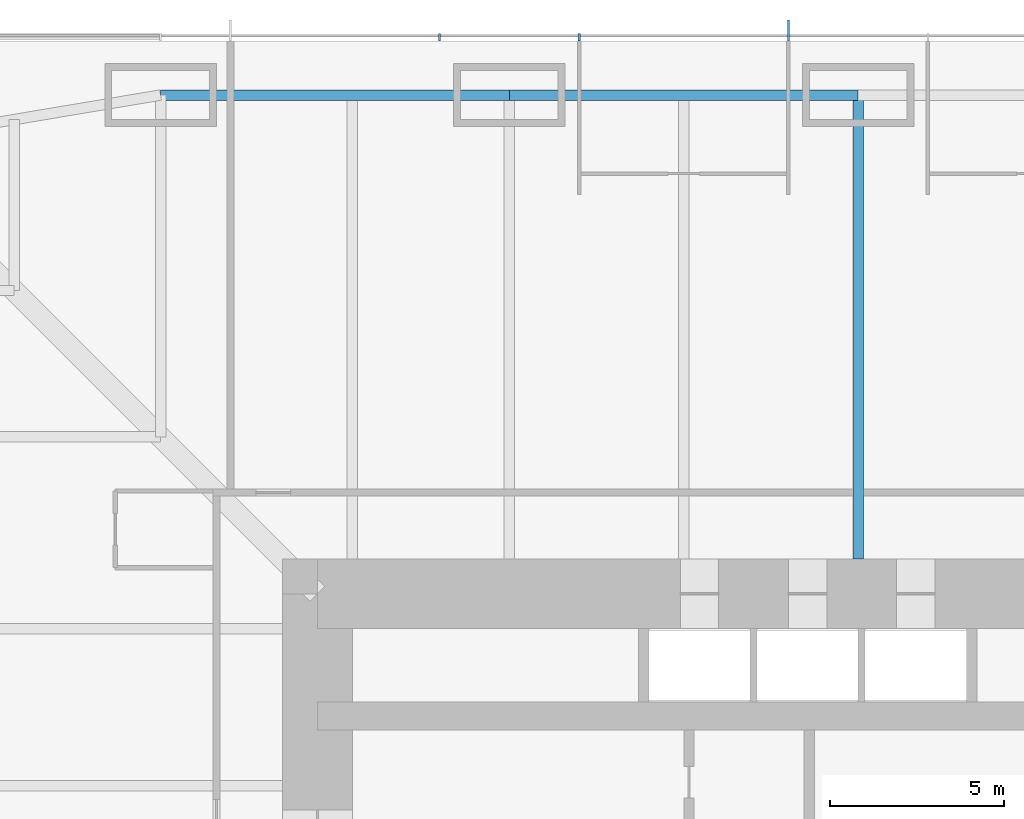
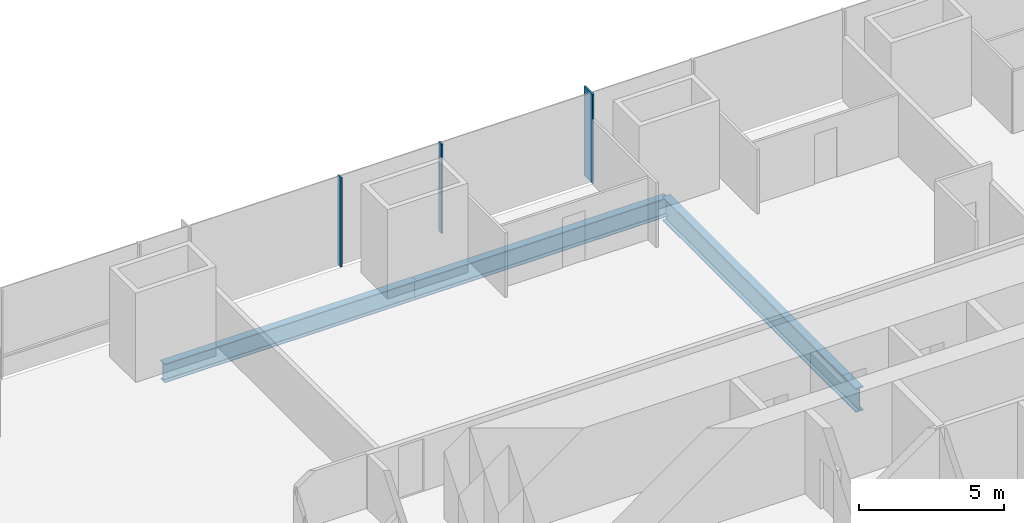
# One storey, part 7 of 16: 3 beams, 3 members, 1 element without a shape of its own.
"""IFC4 building model written with IfcOpenShell, lengths in metres."""

from ifc_helpers import new_model, si_unit, direction, frame, origin, origin_2d, place, context, subcontext, project, spatial, rectangle, i_section, extrude, material, material_profile, profile_set, type_object, element, aggregate, save


model = new_model("IFC4")

# Units and contexts
model_context = context("Model", 3, precision=1e-05, world=origin(), true_north=direction((0.0, 1.0)))
body_context = subcontext(model_context, "Body", "Model", "MODEL_VIEW")
ifc_project = project(units=[si_unit("LENGTHUNIT", "METRE"), si_unit("AREAUNIT", "SQUARE_METRE"), si_unit("VOLUMEUNIT", "CUBIC_METRE"), si_unit("PLANEANGLEUNIT", "RADIAN"), si_unit("MASSUNIT", "GRAM", prefix="KILO")], contexts=[model_context])

# Site, building, storey
site_placement = place(None, origin())
site = spatial("IfcSite", under=ifc_project, at=site_placement, CompositionType="ELEMENT")
building_placement = place(site_placement, origin())
building = spatial("IfcBuilding", under=site, at=building_placement, Name="Khuree Lantern Residences", CompositionType="ELEMENT")
storey_placement = place(building_placement, frame((0.0, 0.0, 54.75)))
storey = spatial("IfcBuildingStorey", under=building, at=storey_placement, Name="L13", CompositionType="ELEMENT", Elevation=54.75)

# Beams
ifc_material_1 = material(Name="Steel S355", Category="steel")
ifc_material_profile_1 = material_profile(ifc_material_1, i_section(OverallWidth=0.300048828125, OverallDepth=0.7900390625, WebThickness=0.014892578125, FlangeThickness=0.028076171875, FilletRadius=0.030029296875, at=origin_2d()), Name="HE 800 A")
ifc_profile_set_1 = profile_set([ifc_material_profile_1], Name="Steel S355")
beam_type_1 = type_object("IfcBeamType", Name="E-13 SPANDREL BEAM HE 800 A", PredefinedType="SPANDREL", material=ifc_profile_set_1)
for number, where, z_axis, x_axis, name in (
    (1, (-20.0, 29.800048828125, -0.64501953125), (1.0, 0.0, 0.0), (0.0, 1.0, 0.0), "Spandrel beam N1"),
    (2, (-10.0, 29.800048828125, -0.64501953125), (1.0, 0.0, 0.0), (0.0, 1.0, 0.0), "Spandrel beam N2"),
):
    element("IfcBeam", number, at=place(storey_placement, frame(where, z_axis=z_axis, x_axis=x_axis)), inside=storey, type_object=beam_type_1, Name=name, PredefinedType="SPANDREL", context=body_context, shape_type="SweptSolid", body=[
        extrude(i_section(OverallWidth=0.300048828125, OverallDepth=0.7900390625, WebThickness=0.014892578125, FlangeThickness=0.028076171875, FilletRadius=0.030029296875, at=origin_2d()), origin(), (0.0, 0.0, 1.0), 10.0),
    ])

# Curtain wall, member
ifc_material_2 = material(Name="Bronze anodised aluminium", Category="aluminium")
curtain_wall_type = type_object("IfcCurtainWallType", Name="CW-T1 TOWER FACE CURTAIN WALL", PredefinedType="USERDEFINED", material=ifc_material_2)
curtain_wall_placement = place(storey_placement, origin())
curtain_wall = element("IfcCurtainWall", 3, at=curtain_wall_placement, inside=storey, type_object=curtain_wall_type, Name="L13 NORTH FACE CURTAIN WALL", ObjectType="Stick-built curtain wall", PredefinedType="USERDEFINED")
ifc_material_profile_2 = material_profile(ifc_material_2, rectangle(XDim=0.06494140625, YDim=0.60009765625, at=origin_2d()), Name="F1 65X600")
ifc_profile_set_2 = profile_set([ifc_material_profile_2], Name="Bronze anodised aluminium")
member_type_1 = type_object("IfcMemberType", Name="F1 BRONZE FIN MULLION TOWER 65X600", PredefinedType="MULLION", material=ifc_profile_set_2)
member_1_placement = place(storey_placement, frame((-2.0, 31.64990234375, 0.0), z_axis=(0.0, 0.0, 1.0), x_axis=(-1.0, 0.0, 0.0)))
member_1 = element("IfcMember", 4, at=member_1_placement, type_object=member_type_1, Name="L13 NORTH FACE FIN MULLION 24", PredefinedType="MULLION", context=body_context, shape_type="SweptSolid", body=[
    extrude(rectangle(XDim=0.06494140625, YDim=0.60009765625, at=origin_2d()), origin(), (0.0, 0.0, 1.0), 3.75),
])

# Beam
ifc_material_profile_3 = material_profile(ifc_material_1, i_section(OverallWidth=0.302001953125, OverallDepth=1.008056640625, WebThickness=0.02099609375, FlangeThickness=0.0400390625, FilletRadius=0.030029296875, at=origin_2d()), Name="HE 1000 M")
ifc_profile_set_3 = profile_set([ifc_material_profile_3], Name="Steel S355")
beam_type_2 = type_object("IfcBeamType", Name="G-13 GIRDER HE 1000 M", PredefinedType="BEAM", material=ifc_profile_set_3)
beam_placement = place(storey_placement, frame((0.0, 29.800048828125, -0.75390625), z_axis=(0.0, -1.0, 0.0), x_axis=(1.0, 0.0, 0.0)))
element("IfcBeam", 5, at=beam_placement, inside=storey, type_object=beam_type_2, Name="Girder N3", PredefinedType="BEAM", context=body_context, shape_type="SweptSolid", body=[
    extrude(i_section(OverallWidth=0.302001953125, OverallDepth=1.008056640625, WebThickness=0.02099609375, FlangeThickness=0.0400390625, FilletRadius=0.030029296875, at=origin_2d()), origin(), (0.0, 0.0, 1.0), 13.300048828125),
])

# Member
ifc_material_profile_4 = material_profile(ifc_material_2, rectangle(XDim=0.06494140625, YDim=0.219970703125, at=origin_2d()), Name="M1 65X220")
ifc_profile_set_4 = profile_set([ifc_material_profile_4], Name="Bronze anodised aluminium")
member_type_2 = type_object("IfcMemberType", Name="M1 BRONZE MULLION TOWER 65X220", PredefinedType="MULLION", material=ifc_profile_set_4)
member_2_placement = place(storey_placement, frame((-8.0, 31.4599609375, 0.0), z_axis=(0.0, 0.0, 1.0), x_axis=(-1.0, 0.0, 0.0)))
member_2 = element("IfcMember", 6, at=member_2_placement, type_object=member_type_2, Name="L13 NORTH FACE MULLION 25", PredefinedType="MULLION", context=body_context, shape_type="SweptSolid", body=[
    extrude(rectangle(XDim=0.06494140625, YDim=0.219970703125, at=origin_2d()), origin(), (0.0, 0.0, 1.0), 3.75),
])

member_3_placement = place(storey_placement, frame((-12.0, 31.4599609375, 0.0), z_axis=(0.0, 0.0, 1.0), x_axis=(-1.0, 0.0, 0.0)))
member_3 = element("IfcMember", 7, at=member_3_placement, type_object=member_type_2, Name="L13 NORTH FACE MULLION 26", PredefinedType="MULLION", context=body_context, shape_type="SweptSolid", body=[
    extrude(rectangle(XDim=0.06494140625, YDim=0.219970703125, at=origin_2d()), origin(), (0.0, 0.0, 1.0), 3.75),
])

aggregate(curtain_wall, [member_1, member_2, member_3])

save(model, "model.ifc")
